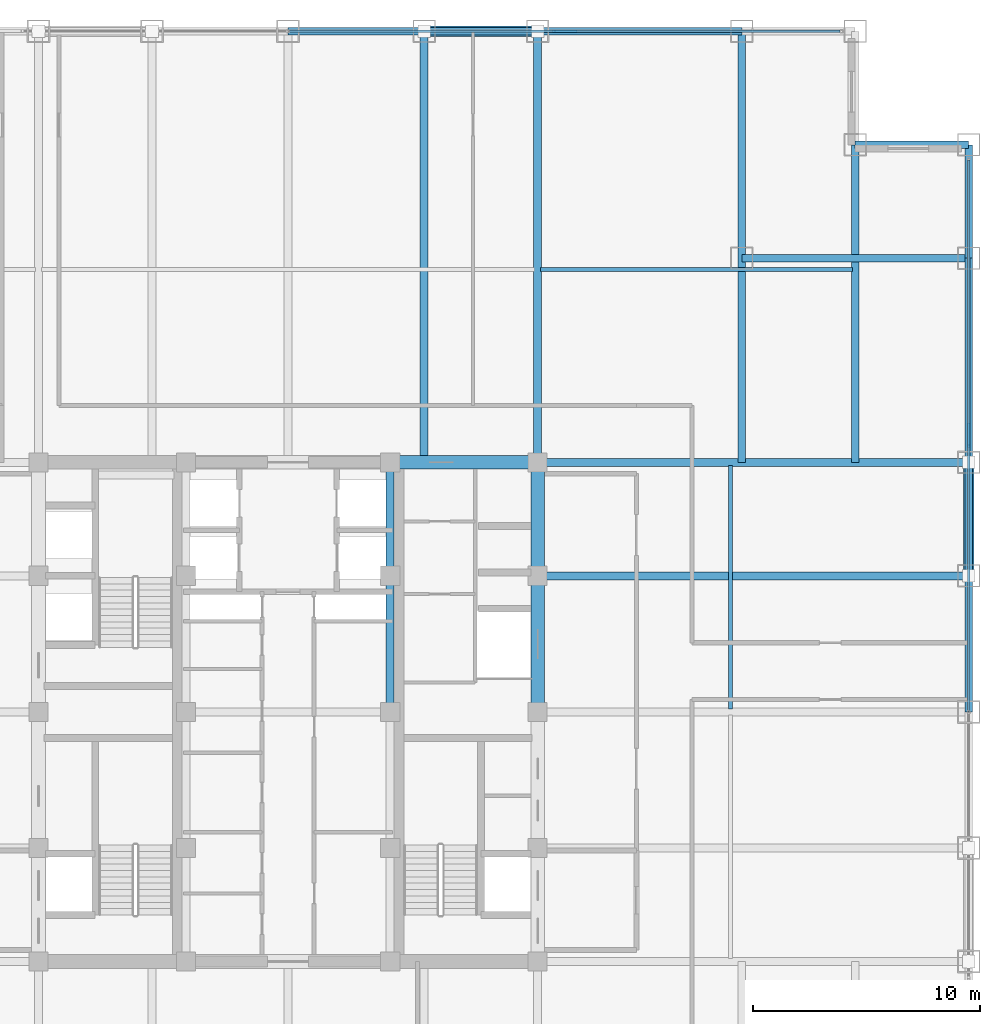
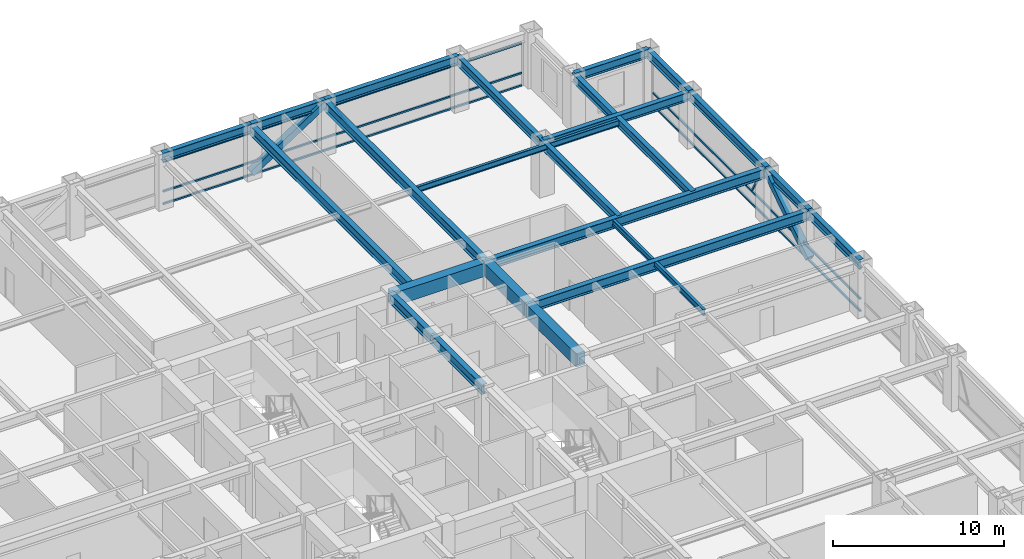
# One storey, part 17 of 24: 22 beams, 10 members, 2 elements without a shape of their own.
"""IFC4 building model written with IfcOpenShell, lengths in metres."""

from ifc_helpers import new_model, si_unit, direction, frame, origin, origin_2d, place, context, subcontext, project, spatial, rectangle, hollow_rectangle, i_section, extrude, source, transform, mapped, material, material_profile, profile_set, type_object, element, aggregate, save


model = new_model("IFC4")

# Units and contexts
model_context = context("Model", 3, precision=1e-05, world=origin(), true_north=direction((0.0, 1.0)))
body_context = subcontext(model_context, "Body", "Model", "MODEL_VIEW")
ifc_project = project(units=[si_unit("LENGTHUNIT", "METRE"), si_unit("AREAUNIT", "SQUARE_METRE"), si_unit("VOLUMEUNIT", "CUBIC_METRE"), si_unit("PLANEANGLEUNIT", "RADIAN"), si_unit("MASSUNIT", "GRAM", prefix="KILO")], contexts=[model_context])

# Site, building, storey
site_placement = place(None, origin())
site = spatial("IfcSite", under=ifc_project, at=site_placement, CompositionType="ELEMENT")
building_placement = place(site_placement, origin())
building = spatial("IfcBuilding", under=site, at=building_placement, Name="Khorayat Bourse Tower", CompositionType="ELEMENT")
storey_placement = place(building_placement, frame((0.0, 0.0, 219.10009765625)))
storey = spatial("IfcBuildingStorey", under=building, at=storey_placement, Name="L51", CompositionType="ELEMENT", Elevation=219.10009765625)

# Beams
ifc_material_1 = material(Name="Steel ASTM A992 Grade 50", Category="steel")
ifc_material_profile_1 = material_profile(ifc_material_1, i_section(OverallWidth=0.35498046875, OverallDepth=0.695068359375, WebThickness=0.015380859375, FlangeThickness=0.02490234375, FilletRadius=0.01806640625, at=origin_2d()), Name="W690X217")
ifc_profile_set_1 = profile_set([ifc_material_profile_1], Name="Steel ASTM A992 Grade 50")
beam_type_1 = type_object("IfcBeamType", Name="BM-GIRD-690", PredefinedType="BEAM", material=ifc_profile_set_1)
shared_shape_1 = source(origin(), body_context, "Body", "SweptSolid", [
    extrude(i_section(OverallWidth=0.35498046875, OverallDepth=0.695068359375, WebThickness=0.015380859375, FlangeThickness=0.02490234375, FilletRadius=0.01806640625, at=origin_2d()), origin(), (0.0, 0.0, 1.0), 5.0),
])
beam_1_placement = place(storey_placement, frame((4.5, 6.0, 3.432373046875), z_axis=(0.0, 1.0, 0.0), x_axis=(-1.0, 0.0, 0.0)))
element("IfcBeam", 1, at=beam_1_placement, inside=storey, type_object=beam_type_1, Name="L51 BM-GIRD-690 BM-L51-CRX-12", PredefinedType="BEAM", context=body_context, shape_type="MappedRepresentation", body=[
    mapped(shared_shape_1, transform((0.0, 0.0, 0.0), scale=1.0)),
])
shared_shape_2 = source(origin(), body_context, "Body", "SweptSolid", [
    extrude(i_section(OverallWidth=0.35498046875, OverallDepth=0.695068359375, WebThickness=0.015380859375, FlangeThickness=0.02490234375, FilletRadius=0.01806640625, at=origin_2d()), origin(), (0.0, 0.0, 1.0), 6.0),
])
beam_2_placement = place(storey_placement, frame((4.5, 0.0, 3.432373046875), z_axis=(0.0, 1.0, 0.0), x_axis=(-1.0, 0.0, 0.0)))
element("IfcBeam", 2, at=beam_2_placement, inside=storey, type_object=beam_type_1, Name="L51 BM-GIRD-690 BM-L51-CRX-11", PredefinedType="BEAM", context=body_context, shape_type="MappedRepresentation", body=[
    mapped(shared_shape_2, transform((0.0, 0.0, 0.0), scale=1.0)),
])
ifc_material_profile_2 = material_profile(ifc_material_1, i_section(OverallWidth=0.324951171875, OverallDepth=0.615966796875, WebThickness=0.013916015625, FlangeThickness=0.021484375, FilletRadius=0.01611328125, at=origin_2d()), Name="W610X174")
ifc_profile_set_2 = profile_set([ifc_material_profile_2], Name="Steel ASTM A992 Grade 50")
beam_type_2 = type_object("IfcBeamType", Name="BM-GIRD-610", PredefinedType="BEAM", material=ifc_profile_set_2)
shared_shape_3 = source(origin(), body_context, "Body", "SweptSolid", [
    extrude(i_section(OverallWidth=0.324951171875, OverallDepth=0.615966796875, WebThickness=0.013916015625, FlangeThickness=0.021484375, FilletRadius=0.01611328125, at=origin_2d()), origin(), (0.0, 0.0, 1.0), 19.0),
])
beam_3_placement = place(storey_placement, frame((20.0, 11.0, 3.471923828125), z_axis=(0.0, 1.0, 0.0), x_axis=(-1.0, 0.0, 0.0)))
element("IfcBeam", 3, at=beam_3_placement, inside=storey, type_object=beam_type_2, Name="L51 BM-GIRD-610 BM-L51-CNRY-087", PredefinedType="BEAM", context=body_context, shape_type="MappedRepresentation", body=[
    mapped(shared_shape_3, transform((0.0, 0.0, 0.0), scale=1.0)),
])
shared_shape_4 = source(origin(), body_context, "Body", "SweptSolid", [
    extrude(i_section(OverallWidth=0.324951171875, OverallDepth=0.615966796875, WebThickness=0.013916015625, FlangeThickness=0.021484375, FilletRadius=0.01611328125, at=origin_2d()), origin(), (0.0, 0.0, 1.0), 10.0),
])
beam_4_placement = place(storey_placement, frame((20.0, 20.0, 3.471923828125), z_axis=(1.0, 0.0, 0.0), x_axis=(0.0, 1.0, 0.0)))
element("IfcBeam", 4, at=beam_4_placement, inside=storey, type_object=beam_type_2, Name="L51 BM-GIRD-610 BM-L51-CNRX-094", PredefinedType="BEAM", context=body_context, shape_type="MappedRepresentation", body=[
    mapped(shared_shape_4, transform((0.0, 0.0, 0.0), scale=1.0)),
])
ifc_material_profile_3 = material_profile(ifc_material_1, i_section(OverallWidth=0.180908203125, OverallDepth=0.4169921875, WebThickness=0.010986328125, FlangeThickness=0.018310546875, FilletRadius=0.011962890625, at=origin_2d()), Name="W410X85")
ifc_profile_set_3 = profile_set([ifc_material_profile_3], Name="Steel ASTM A992 Grade 50")
beam_type_3 = type_object("IfcBeamType", Name="BM-JOIST-410", PredefinedType="JOIST", material=ifc_profile_set_3)
shared_shape_5 = source(origin(), body_context, "Body", "SweptSolid", [
    extrude(i_section(OverallWidth=0.180908203125, OverallDepth=0.4169921875, WebThickness=0.010986328125, FlangeThickness=0.018310546875, FilletRadius=0.011962890625, at=origin_2d()), origin(), (0.0, 0.0, 1.0), 10.740234375),
])
beam_5_placement = place(storey_placement, frame((19.5, 0.1298828125, 3.5712890625), z_axis=(0.0, 1.0, 0.0), x_axis=(-1.0, 0.0, 0.0)))
element("IfcBeam", 5, at=beam_5_placement, inside=storey, type_object=beam_type_3, Name="L51 BM-JOIST-410 BM-L51-JSTY-105", PredefinedType="JOIST", context=body_context, shape_type="MappedRepresentation", body=[
    mapped(shared_shape_5, transform((0.0, 0.0, 0.0), scale=1.0)),
])
ifc_material_profile_4 = material_profile(ifc_material_1, i_section(OverallWidth=0.324951171875, OverallDepth=0.615966796875, WebThickness=0.013916015625, FlangeThickness=0.021484375, FilletRadius=0.01611328125, at=origin_2d()), Name="W610X174")
ifc_profile_set_4 = profile_set([ifc_material_profile_4], Name="Steel ASTM A992 Grade 50")
beam_type_4 = type_object("IfcBeamType", Name="BM-SPAN-610", PredefinedType="SPANDREL", material=ifc_profile_set_4)
shared_shape_6 = source(origin(), body_context, "Body", "SweptSolid", [
    extrude(i_section(OverallWidth=0.324951171875, OverallDepth=0.615966796875, WebThickness=0.013916015625, FlangeThickness=0.021484375, FilletRadius=0.01611328125, at=origin_2d()), origin(), (0.0, 0.0, 1.0), 9.0),
])
for number, where, z_axis, x_axis, name in (
    (6, (30.0, 11.0, 3.471923828125), (0.0, 1.0, 0.0), (-1.0, 0.0, 0.0), "L51 BM-SPAN-610 BM-L51-SPN-040"),
    (7, (11.0, 30.0, 3.471923828125), (1.0, 0.0, 0.0), (0.0, 1.0, 0.0), "L51 BM-SPAN-610 BM-L51-SPN-045"),
):
    element("IfcBeam", number, at=place(storey_placement, frame(where, z_axis=z_axis, x_axis=x_axis)), inside=storey, type_object=beam_type_4, Name=name, PredefinedType="SPANDREL", context=body_context, shape_type="MappedRepresentation", body=[
        mapped(shared_shape_6, transform((0.0, 0.0, 0.0), scale=1.0)),
    ])
shared_shape_7 = source(origin(), body_context, "Body", "SweptSolid", [
    extrude(i_section(OverallWidth=0.324951171875, OverallDepth=0.615966796875, WebThickness=0.013916015625, FlangeThickness=0.021484375, FilletRadius=0.01611328125, at=origin_2d()), origin(), (0.0, 0.0, 1.0), 5.0),
])
for number, where, z_axis, x_axis, name in (
    (8, (30.0, 6.0, 3.471923828125), (0.0, 1.0, 0.0), (-1.0, 0.0, 0.0), "L51 BM-SPAN-610 BM-L51-SPN-039"),
    (9, (30.0, 20.0, 3.471923828125), (0.0, 1.0, 0.0), (-1.0, 0.0, 0.0), "L51 BM-SPAN-610 BM-L51-SPN-041"),
    (10, (25.0, 25.0, 3.471923828125), (1.0, 0.0, 0.0), (0.0, 1.0, 0.0), "L51 BM-SPAN-610 BM-L51-SPN-042"),
    (11, (6.0, 30.0, 3.471923828125), (1.0, 0.0, 0.0), (0.0, 1.0, 0.0), "L51 BM-SPAN-610 BM-L51-SPN-046"),
):
    element("IfcBeam", number, at=place(storey_placement, frame(where, z_axis=z_axis, x_axis=x_axis)), inside=storey, type_object=beam_type_4, Name=name, PredefinedType="SPANDREL", context=body_context, shape_type="MappedRepresentation", body=[
        mapped(shared_shape_7, transform((0.0, 0.0, 0.0), scale=1.0)),
    ])
shared_shape_8 = source(origin(), body_context, "Body", "SweptSolid", [
    extrude(i_section(OverallWidth=0.324951171875, OverallDepth=0.615966796875, WebThickness=0.013916015625, FlangeThickness=0.021484375, FilletRadius=0.01611328125, at=origin_2d()), origin(), (0.0, 0.0, 1.0), 6.0),
])
for number, where, z_axis, x_axis, name in (
    (12, (30.0, 0.0, 3.471923828125), (0.0, 1.0, 0.0), (-1.0, 0.0, 0.0), "L51 BM-SPAN-610 BM-L51-SPN-038"),
    (13, (0.0, 30.0, 3.471923828125), (1.0, 0.0, 0.0), (0.0, 1.0, 0.0), "L51 BM-SPAN-610 BM-L51-SPN-047"),
):
    element("IfcBeam", number, at=place(storey_placement, frame(where, z_axis=z_axis, x_axis=x_axis)), inside=storey, type_object=beam_type_4, Name=name, PredefinedType="SPANDREL", context=body_context, shape_type="MappedRepresentation", body=[
        mapped(shared_shape_8, transform((0.0, 0.0, 0.0), scale=1.0)),
    ])
ifc_material_2 = material(Name="Concrete C60/75", Category="concrete")
ifc_material_profile_5 = material_profile(ifc_material_2, rectangle(XDim=0.60009765625, YDim=0.949951171875, at=origin_2d()), Name="RC 600x950")
ifc_profile_set_5 = profile_set([ifc_material_profile_5], Name="Concrete C60/75")
beam_type_5 = type_object("IfcBeamType", Name="BM-COUP-950", PredefinedType="BEAM", material=ifc_profile_set_5)
shared_shape_9 = source(origin(), body_context, "Body", "SweptSolid", [
    extrude(rectangle(XDim=0.60009765625, YDim=0.949951171875, at=origin_2d()), origin(), (0.0, 0.0, 1.0), 5.0),
])
beam_6_placement = place(storey_placement, frame((11.0, 6.0, 3.304931640625), z_axis=(0.0, 1.0, 0.0), x_axis=(-1.0, 0.0, 0.0)))
element("IfcBeam", 14, at=beam_6_placement, inside=storey, type_object=beam_type_5, Name="L51 BM-COUP-950 BM-L51-CRX-16", PredefinedType="BEAM", context=body_context, shape_type="MappedRepresentation", body=[
    mapped(shared_shape_9, transform((0.0, 0.0, 0.0), scale=1.0)),
])
shared_shape_10 = source(origin(), body_context, "Body", "SweptSolid", [
    extrude(rectangle(XDim=0.60009765625, YDim=0.949951171875, at=origin_2d()), origin(), (0.0, 0.0, 1.0), 6.0),
])
beam_7_placement = place(storey_placement, frame((11.0, 0.0, 3.304931640625), z_axis=(0.0, 1.0, 0.0), x_axis=(-1.0, 0.0, 0.0)))
element("IfcBeam", 15, at=beam_7_placement, inside=storey, type_object=beam_type_5, Name="L51 BM-COUP-950 BM-L51-CRX-15", PredefinedType="BEAM", context=body_context, shape_type="MappedRepresentation", body=[
    mapped(shared_shape_10, transform((0.0, 0.0, 0.0), scale=1.0)),
])
shared_shape_11 = source(origin(), body_context, "Body", "SweptSolid", [
    extrude(rectangle(XDim=0.60009765625, YDim=0.949951171875, at=origin_2d()), origin(), (0.0, 0.0, 1.0), 6.5),
])
beam_8_placement = place(storey_placement, frame((4.5, 11.0, 3.304931640625), z_axis=(1.0, 0.0, 0.0), x_axis=(0.0, 1.0, 0.0)))
element("IfcBeam", 16, at=beam_8_placement, inside=storey, type_object=beam_type_5, Name="L51 BM-COUP-950 BM-L51-CRY-22", PredefinedType="BEAM", context=body_context, shape_type="MappedRepresentation", body=[
    mapped(shared_shape_11, transform((0.0, 0.0, 0.0), scale=1.0)),
])
shared_shape_12 = source(origin(), body_context, "Body", "SweptSolid", [
    extrude(i_section(OverallWidth=0.35498046875, OverallDepth=0.695068359375, WebThickness=0.015380859375, FlangeThickness=0.02490234375, FilletRadius=0.01806640625, at=origin_2d()), origin(), (0.0, 0.0, 1.0), 19.0),
])
for number, where, z_axis, x_axis, name in (
    (17, (6.0, 11.0, 3.432373046875), (0.0, 1.0, 0.0), (-1.0, 0.0, 0.0), "L51 BM-GIRD-690 BM-L51-RADY-070"),
    (18, (11.0, 11.0, 3.432373046875), (0.0, 1.0, 0.0), (-1.0, 0.0, 0.0), "L51 BM-GIRD-690 BM-L51-RADY-072"),
    (19, (11.0, 6.0, 3.432373046875), (1.0, 0.0, 0.0), (0.0, 1.0, 0.0), "L51 BM-GIRD-690 BM-L51-RADX-080"),
    (20, (11.0, 11.0, 3.432373046875), (1.0, 0.0, 0.0), (0.0, 1.0, 0.0), "L51 BM-GIRD-690 BM-L51-RADX-082"),
):
    element("IfcBeam", number, at=place(storey_placement, frame(where, z_axis=z_axis, x_axis=x_axis)), inside=storey, type_object=beam_type_1, Name=name, PredefinedType="BEAM", context=body_context, shape_type="MappedRepresentation", body=[
        mapped(shared_shape_12, transform((0.0, 0.0, 0.0), scale=1.0)),
    ])
shared_shape_13 = source(origin(), body_context, "Body", "SweptSolid", [
    extrude(i_section(OverallWidth=0.324951171875, OverallDepth=0.615966796875, WebThickness=0.013916015625, FlangeThickness=0.021484375, FilletRadius=0.01611328125, at=origin_2d()), origin(), (0.0, 0.0, 1.0), 14.0),
])
beam_9_placement = place(storey_placement, frame((25.0, 11.0, 3.471923828125), z_axis=(0.0, 1.0, 0.0), x_axis=(-1.0, 0.0, 0.0)))
element("IfcBeam", 21, at=beam_9_placement, inside=storey, type_object=beam_type_2, Name="L51 BM-GIRD-610 BM-L51-CNRY-091", PredefinedType="BEAM", context=body_context, shape_type="MappedRepresentation", body=[
    mapped(shared_shape_13, transform((0.0, 0.0, 0.0), scale=1.0)),
])
shared_shape_14 = source(origin(), body_context, "Body", "SweptSolid", [
    extrude(i_section(OverallWidth=0.180908203125, OverallDepth=0.4169921875, WebThickness=0.010986328125, FlangeThickness=0.018310546875, FilletRadius=0.011962890625, at=origin_2d()), origin(), (0.0, 0.0, 1.0), 13.740234375),
])
beam_10_placement = place(storey_placement, frame((11.1298828125, 19.5, 3.5712890625), z_axis=(1.0, 0.0, 0.0), x_axis=(0.0, 1.0, 0.0)))
element("IfcBeam", 22, at=beam_10_placement, inside=storey, type_object=beam_type_3, Name="L51 BM-JOIST-410 BM-L51-JSTX-101", PredefinedType="JOIST", context=body_context, shape_type="MappedRepresentation", body=[
    mapped(shared_shape_14, transform((0.0, 0.0, 0.0), scale=1.0)),
])

# Members
ifc_material_3 = material(Name="Steel EN 10025-4 S460M", Category="steel")
ifc_material_profile_6 = material_profile(ifc_material_3, hollow_rectangle(XDim=0.449951171875, YDim=0.449951171875, WallThickness=0.02490234375, at=origin_2d()), Name="HSS 450x450x25")
ifc_profile_set_6 = profile_set([ifc_material_profile_6], Name="Steel EN 10025-4 S460M")
member_type_1 = type_object("IfcMemberType", Name="MBR-TUBE-450", PredefinedType="BRACE", material=ifc_profile_set_6)
shared_shape_15 = source(origin(), body_context, "Body", "SweptSolid", [
    extrude(hollow_rectangle(XDim=0.449951171875, YDim=0.449951171875, WallThickness=0.02490234375, at=origin_2d()), origin(), (0.0, 0.0, 1.0), 5.979736328125),
])
for number, where, z_axis, x_axis, name in (
    (23, (6.0, 30.0, 0.25), (0.836160261256, 0.0, 0.548485202623), (0.0, 1.0, 0.0), "L51 Perimeter Tube Brace 04"),
    (24, (30.0, 6.0, 0.25), (0.0, 0.836160261256, 0.548485202623), (-1.0, 0.0, 0.0), "L51 Perimeter Tube Brace 08"),
):
    element("IfcMember", number, at=place(storey_placement, frame(where, z_axis=z_axis, x_axis=x_axis)), inside=storey, type_object=member_type_1, Name=name, PredefinedType="BRACE", context=body_context, shape_type="MappedRepresentation", body=[
        mapped(shared_shape_15, transform((0.0, 0.0, 0.0), scale=1.0)),
    ])

# Curtain wall, member
ifc_material_4 = material(Name="Aluminium EN AW-6063 T6", Category="aluminium")
curtain_wall_type = type_object("IfcCurtainWallType", Name="CW-SYS-03", PredefinedType="NOTDEFINED", material=ifc_material_4)
curtain_wall_1_placement = place(storey_placement, origin())
curtain_wall_1 = element("IfcCurtainWall", 25, at=curtain_wall_1_placement, inside=storey, type_object=curtain_wall_type, Name="L51 Curtain Wall CW-L51-N1", PredefinedType="NOTDEFINED")
ifc_material_profile_7 = material_profile(ifc_material_4, hollow_rectangle(XDim=0.1201171875, YDim=0.1201171875, WallThickness=0.0048828125, at=origin_2d()), Name="ALU 120x120x5")
ifc_profile_set_7 = profile_set([ifc_material_profile_7], Name="Aluminium EN AW-6063 T6")
member_type_2 = type_object("IfcMemberType", Name="CWM-DIAG-120", PredefinedType="MULLION", material=ifc_profile_set_7)
shared_shape_16 = source(origin(), body_context, "Body", "SweptSolid", [
    extrude(hollow_rectangle(XDim=0.1201171875, YDim=0.1201171875, WallThickness=0.0048828125, at=origin_2d()), origin(), (0.0, 0.0, 1.0), 2.079345703125),
])
member_1_placement = place(storey_placement, frame((12.67919921875, 30.0, 1.08984375), z_axis=(-0.465760949701, 0.0, 0.884910581773), x_axis=(0.0, -1.0, 0.0)))
member_1 = element("IfcMember", 26, at=member_1_placement, type_object=member_type_2, Name="CW-L51-N1 Faceted Diagonal Mullion 2", PredefinedType="MULLION", context=body_context, shape_type="MappedRepresentation", body=[
    mapped(shared_shape_16, transform((0.0, 0.0, 0.0), scale=1.0)),
])

curtain_wall_2_placement = place(storey_placement, origin())
curtain_wall_2 = element("IfcCurtainWall", 27, at=curtain_wall_2_placement, inside=storey, type_object=curtain_wall_type, Name="L51 Curtain Wall CW-L51-E1", PredefinedType="NOTDEFINED")
member_2_placement = place(storey_placement, frame((30.0, 12.67919921875, 1.08984375), z_axis=(0.0, -0.465760949701, 0.884910581773), x_axis=(1.0, 0.0, 0.0)))
member_2 = element("IfcMember", 28, at=member_2_placement, type_object=member_type_2, Name="CW-L51-E1 Faceted Diagonal Mullion 2", PredefinedType="MULLION", context=body_context, shape_type="MappedRepresentation", body=[
    mapped(shared_shape_16, transform((0.0, 0.0, 0.0), scale=1.0)),
])

# Member
ifc_material_profile_8 = material_profile(ifc_material_4, hollow_rectangle(XDim=0.1201171875, YDim=0.1201171875, WallThickness=0.0048828125, at=origin_2d()), Name="ALU 120x120x5")
ifc_profile_set_8 = profile_set([ifc_material_profile_8], Name="Aluminium EN AW-6063 T6")
member_type_3 = type_object("IfcMemberType", Name="CWT-HORZ-120", PredefinedType="USERDEFINED", material=ifc_profile_set_8)
shared_shape_17 = source(origin(), body_context, "Body", "SweptSolid", [
    extrude(hollow_rectangle(XDim=0.1201171875, YDim=0.1201171875, WallThickness=0.0048828125, at=origin_2d()), origin(), (0.0, 0.0, 1.0), 24.27001953125),
])
member_3_placement = place(storey_placement, frame((0.06005859375, 30.0, 0.059814453125), z_axis=(1.0, 0.0, 0.0), x_axis=(0.0, 1.0, 0.0)))
member_3 = element("IfcMember", 29, at=member_3_placement, type_object=member_type_3, Name="CW-L51-N1 Horizontal Transom 2-1", ObjectType="TRANSOM", PredefinedType="USERDEFINED", context=body_context, shape_type="MappedRepresentation", body=[
    mapped(shared_shape_17, transform((0.0, 0.0, 0.0), scale=1.0)),
])

member_4_placement = place(storey_placement, frame((0.06005859375, 30.0, 0.949951171875), z_axis=(1.0, 0.0, 0.0), x_axis=(0.0, 1.0, 0.0)))
member_4 = element("IfcMember", 30, at=member_4_placement, type_object=member_type_3, Name="CW-L51-N1 Horizontal Transom 2-2", ObjectType="TRANSOM", PredefinedType="USERDEFINED", context=body_context, shape_type="MappedRepresentation", body=[
    mapped(shared_shape_17, transform((0.0, 0.0, 0.0), scale=1.0)),
])

member_5_placement = place(storey_placement, frame((0.06005859375, 30.0, 3.06982421875), z_axis=(1.0, 0.0, 0.0), x_axis=(0.0, 1.0, 0.0)))
member_5 = element("IfcMember", 31, at=member_5_placement, type_object=member_type_3, Name="CW-L51-N1 Horizontal Transom 2-3", ObjectType="TRANSOM", PredefinedType="USERDEFINED", context=body_context, shape_type="MappedRepresentation", body=[
    mapped(shared_shape_17, transform((0.0, 0.0, 0.0), scale=1.0)),
])

aggregate(curtain_wall_1, [member_3, member_4, member_5, member_1])

member_6_placement = place(storey_placement, frame((30.0, 0.06005859375, 0.059814453125), z_axis=(0.0, 1.0, 0.0), x_axis=(-1.0, 0.0, 0.0)))
member_6 = element("IfcMember", 32, at=member_6_placement, type_object=member_type_3, Name="CW-L51-E1 Horizontal Transom 2-1", ObjectType="TRANSOM", PredefinedType="USERDEFINED", context=body_context, shape_type="MappedRepresentation", body=[
    mapped(shared_shape_17, transform((0.0, 0.0, 0.0), scale=1.0)),
])

member_7_placement = place(storey_placement, frame((30.0, 0.06005859375, 0.949951171875), z_axis=(0.0, 1.0, 0.0), x_axis=(-1.0, 0.0, 0.0)))
member_7 = element("IfcMember", 33, at=member_7_placement, type_object=member_type_3, Name="CW-L51-E1 Horizontal Transom 2-2", ObjectType="TRANSOM", PredefinedType="USERDEFINED", context=body_context, shape_type="MappedRepresentation", body=[
    mapped(shared_shape_17, transform((0.0, 0.0, 0.0), scale=1.0)),
])

member_8_placement = place(storey_placement, frame((30.0, 0.06005859375, 3.06982421875), z_axis=(0.0, 1.0, 0.0), x_axis=(-1.0, 0.0, 0.0)))
member_8 = element("IfcMember", 34, at=member_8_placement, type_object=member_type_3, Name="CW-L51-E1 Horizontal Transom 2-3", ObjectType="TRANSOM", PredefinedType="USERDEFINED", context=body_context, shape_type="MappedRepresentation", body=[
    mapped(shared_shape_17, transform((0.0, 0.0, 0.0), scale=1.0)),
])

aggregate(curtain_wall_2, [member_6, member_7, member_8, member_2])

save(model, "model.ifc")
